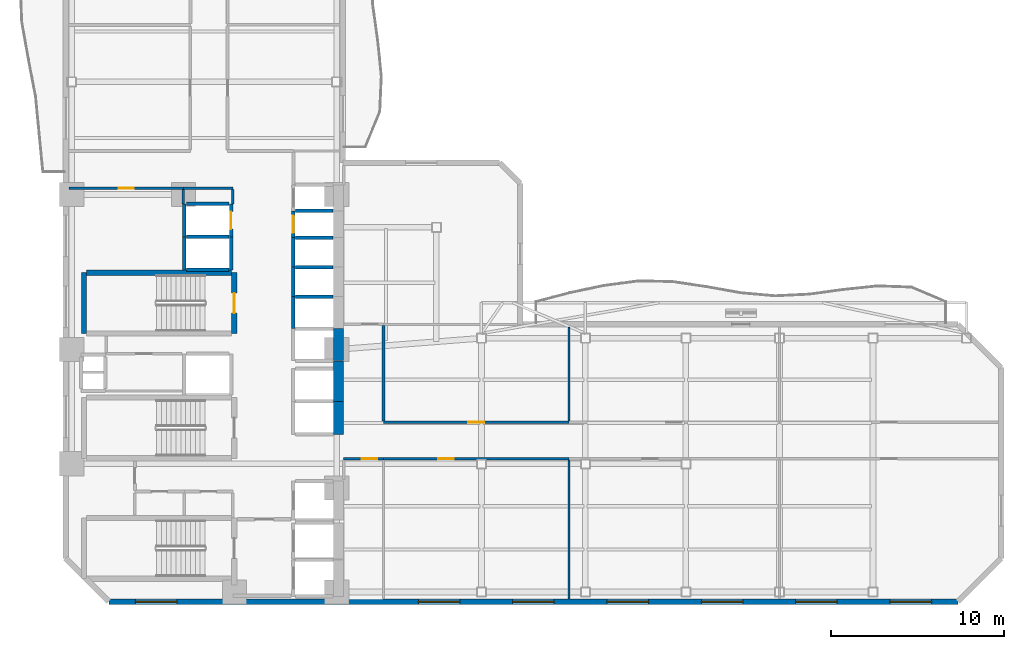
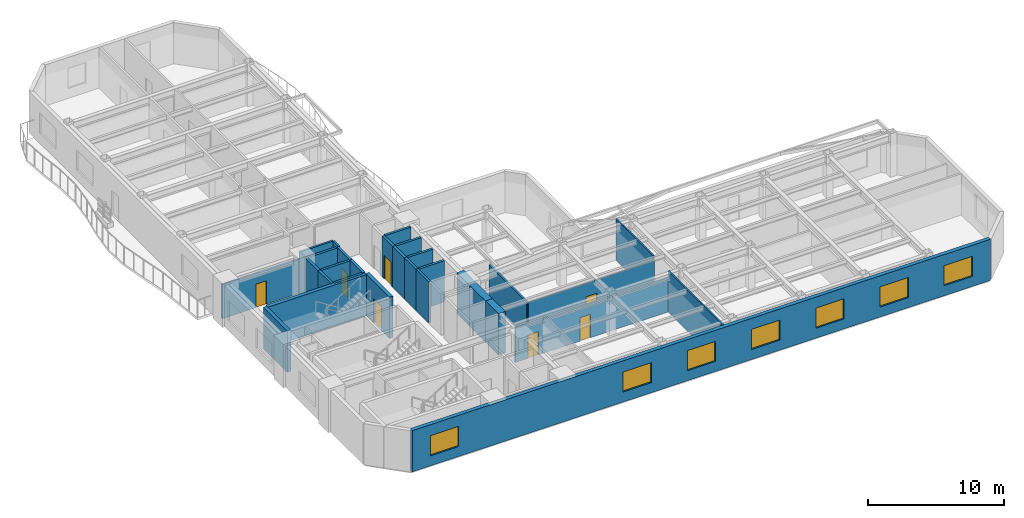
# One storey, part 4 of 10: 32 walls, 7 doors, 7 windows, 14 openings.
"""IFC4 building model written with IfcOpenShell, lengths in metres."""

from ifc_helpers import new_model, si_unit, direction, frame, frame_2d, origin, place, context, subcontext, project, spatial, rectangle, extrude, material, layer, layer_set, type_object, element, fill, save


model = new_model("IFC4")

# Units and contexts
model_context = context("Model", 3, precision=1e-05, world=origin(), true_north=direction((0.0, 1.0)))
body_context = subcontext(model_context, "Body", "Model", "MODEL_VIEW")
ifc_project = project(units=[si_unit("LENGTHUNIT", "METRE"), si_unit("AREAUNIT", "SQUARE_METRE"), si_unit("VOLUMEUNIT", "CUBIC_METRE"), si_unit("PLANEANGLEUNIT", "RADIAN"), si_unit("MASSUNIT", "GRAM", prefix="KILO")], contexts=[model_context])

# Site, building, storey
site_placement = place(None, origin())
site = spatial("IfcSite", under=ifc_project, at=site_placement, CompositionType="ELEMENT")
building_placement = place(site_placement, origin())
building = spatial("IfcBuilding", under=site, at=building_placement, Name="Mawjaban Terraces University", CompositionType="ELEMENT")
storey_placement = place(building_placement, frame((0.0, 0.0, 81.699951171875)))
storey = spatial("IfcBuildingStorey", under=building, at=storey_placement, Name="L19", CompositionType="ELEMENT", Elevation=81.699951171875)

# Walls
ifc_material_1 = material(Name="Concrete C70/85", Category="concrete")
ifc_layer_1 = layer(ifc_material_1, 0.60009765625)
ifc_layer_set_1 = layer_set([ifc_layer_1], Name="Concrete C70/85")
wall_type_1 = type_object("IfcWallType", Name="CoreShearWall_600", PredefinedType="SHEAR", material=ifc_layer_set_1)
wall_1_placement = place(storey_placement, frame((37.75, 9.64990234375, 0.0), z_axis=(0.0, 0.0, 1.0), x_axis=(0.0, 1.0, 0.0)))
element("IfcWall", 1, at=wall_1_placement, inside=storey, type_object=wall_type_1, Name="L19 Lift PL-H1 Hoistway Wall East", PredefinedType="SHEAR", context=body_context, shape_type="SweptSolid", body=[
    extrude(rectangle(XDim=1.900146484375, YDim=0.60009765625, at=frame_2d((0.9501953125, 0.0))), origin(), (0.0, 0.0, 1.0), 3.68994140625),
])
wall_2_placement = place(storey_placement, frame((37.75, 11.550048828125, 0.0), z_axis=(0.0, 0.0, 1.0), x_axis=(0.0, 1.0, 0.0)))
element("IfcWall", 2, at=wall_2_placement, inside=storey, type_object=wall_type_1, Name="L19 Lift PL-H2 Hoistway Wall East", PredefinedType="SHEAR", context=body_context, shape_type="SweptSolid", body=[
    extrude(rectangle(XDim=2.349853515625, YDim=0.60009765625, at=frame_2d((1.1748046875, 0.0))), origin(), (0.0, 0.0, 1.0), 3.68994140625),
])
wall_3_placement = place(storey_placement, frame((37.75, 13.89990234375, 0.0), z_axis=(0.0, 0.0, 1.0), x_axis=(0.0, 1.0, 0.0)))
element("IfcWall", 3, at=wall_3_placement, inside=storey, type_object=wall_type_1, Name="L19 Lift OL-1 Hoistway Wall East", PredefinedType="SHEAR", context=body_context, shape_type="SweptSolid", body=[
    extrude(rectangle(XDim=1.85009765625, YDim=0.60009765625, at=frame_2d((0.925048828125, 0.0))), origin(), (0.0, 0.0, 1.0), 3.68994140625),
])

# Wall, opening, door
ifc_material_2 = material(Name="Fire-rated gypsum board on steel stud", Category="steel")
ifc_layer_2 = layer(ifc_material_2, 0.159912109375)
ifc_layer_set_2 = layer_set([ifc_layer_2], Name="Fire-rated gypsum board on steel stud")
wall_type_2 = type_object("IfcWallType", Name="CorridorPartition_160", PredefinedType="PARTITIONING", material=ifc_layer_set_2)
wall_4_placement = place(storey_placement, frame((28.800048828125, 23.85009765625, 0.0), z_axis=(0.0, 0.0, 1.0), x_axis=(-1.0, 0.0, 0.0)))
wall_4 = element("IfcWall", 4, at=wall_4_placement, inside=storey, type_object=wall_type_2, Name="L19 Female Toilet Partition 4", PredefinedType="PARTITIONING", context=body_context, shape_type="SweptSolid", body=[
    extrude(rectangle(XDim=6.60009765625, YDim=0.159912109375, at=frame_2d((3.300048828125, 0.0))), origin(), (0.0, 0.0, 1.0), 3.054931640625),
])
opening_1_placement = place(wall_4_placement, frame((2.860107421875, 0.0, 0.0)))
opening_1 = element("IfcOpeningElement", 5, at=opening_1_placement, cuts=wall_4, Name="Opening ID-088", PredefinedType="OPENING", context=body_context, shape_type="SweptSolid", body=[
    extrude(rectangle(XDim=0.8798828125, YDim=2.10009765625, at=frame_2d((0.43994140625, 1.050048828125))), frame((0.0, 0.08984375, 0.0), z_axis=(0.0, -1.0, 0.0), x_axis=(1.0, 0.0, 0.0)), (0.0, 0.0, 1.0), 0.179931640625),
])
ifc_material_3 = material(Name="Powder-coated steel frame and solid acoustic timber leaf", Category="steel")
door_type_1 = type_object("IfcDoorType", Name="ToiletDoor_880x2100", OperationType="NOTDEFINED", PredefinedType="DOOR", material=ifc_material_3)
door_1_placement = place(opening_1_placement, origin())
door_1 = element("IfcDoor", 6, at=door_1_placement, inside=storey, type_object=door_type_1, Name="L19 Female Toilet Door", OperationType="SINGLE_SWING_RIGHT", OverallHeight=2.10009765625, OverallWidth=0.8798828125, PredefinedType="DOOR", context=body_context, shape_type="SweptSolid", body=[
    extrude(rectangle(XDim=0.8798828125, YDim=2.10009765625, at=frame_2d((0.43994140625, 1.050048828125))), frame((0.0, 0.02490234375, 0.0), z_axis=(0.0, -1.0, 0.0), x_axis=(1.0, 0.0, 0.0)), (0.0, 0.0, 1.0), 0.050048828125),
])
fill(opening_1, door_1)

# Wall
wall_5_placement = place(storey_placement, frame((28.800048828125, 23.85009765625, 0.0), z_axis=(0.0, 0.0, 1.0), x_axis=(1.0, 0.0, 0.0)))
element("IfcWall", 7, at=wall_5_placement, inside=storey, type_object=wall_type_2, Name="L19 North Core Cross-Corridor Partition 5", PredefinedType="PARTITIONING", context=body_context, shape_type="SweptSolid", body=[
    extrude(rectangle(XDim=2.849853515625, YDim=0.159912109375, at=frame_2d((1.4248046875, 0.0))), origin(), (0.0, 0.0, 1.0), 3.68994140625),
])

# Wall, opening, door
wall_6_placement = place(storey_placement, frame((38.050048828125, 8.25, 0.0), z_axis=(0.0, 0.0, 1.0), x_axis=(1.0, 0.0, 0.0)))
wall_6 = element("IfcWall", 8, at=wall_6_placement, inside=storey, type_object=wall_type_2, Name="L19 East Academic Corridor Vestibule Partition 18", PredefinedType="PARTITIONING", context=body_context, shape_type="SweptSolid", body=[
    extrude(rectangle(XDim=2.300048828125, YDim=0.159912109375, at=frame_2d((1.14990234375, 0.0))), origin(), (0.0, 0.0, 1.0), 3.054931640625),
])
opening_2_placement = place(wall_6_placement, frame((1.050048828125, 0.0, 0.0)))
opening_2 = element("IfcOpeningElement", 9, at=opening_2_placement, cuts=wall_6, Name="Opening ID-090", PredefinedType="OPENING", context=body_context, shape_type="SweptSolid", body=[
    extrude(rectangle(XDim=0.89990234375, YDim=2.10009765625, at=frame_2d((0.449951171875, 1.050048828125))), frame((0.0, 0.08984375, 0.0), z_axis=(0.0, -1.0, 0.0), x_axis=(1.0, 0.0, 0.0)), (0.0, 0.0, 1.0), 0.179931640625),
])
door_type_2 = type_object("IfcDoorType", Name="OfficeDoor_900x2100", OperationType="NOTDEFINED", PredefinedType="DOOR", material=ifc_material_3)
door_2_placement = place(opening_2_placement, origin())
door_2 = element("IfcDoor", 10, at=door_2_placement, inside=storey, type_object=door_type_2, Name="L19 Academic Counseling Room 1 Door", OperationType="SINGLE_SWING_LEFT", OverallHeight=2.10009765625, OverallWidth=0.89990234375, PredefinedType="DOOR", context=body_context, shape_type="SweptSolid", body=[
    extrude(rectangle(XDim=0.89990234375, YDim=2.10009765625, at=frame_2d((0.449951171875, 1.050048828125))), frame((0.0, 0.02490234375, 0.0), z_axis=(0.0, -1.0, 0.0), x_axis=(1.0, 0.0, 0.0)), (0.0, 0.0, 1.0), 0.050048828125),
])
fill(opening_2, door_2)

wall_7_placement = place(storey_placement, frame((40.35009765625, 8.25, 0.0), z_axis=(0.0, 0.0, 1.0), x_axis=(1.0, 0.0, 0.0)))
wall_7 = element("IfcWall", 11, at=wall_7_placement, inside=storey, type_object=wall_type_2, Name="L19 East Academic Spine Corridor Partition 19", PredefinedType="PARTITIONING", context=body_context, shape_type="SweptSolid", body=[
    extrude(rectangle(XDim=10.699951171875, YDim=0.159912109375, at=frame_2d((5.35009765625, 0.0))), origin(), (0.0, 0.0, 1.0), 3.054931640625),
])
opening_3_placement = place(wall_7_placement, frame((3.14990234375, 0.0, 0.0)))
opening_3 = element("IfcOpeningElement", 12, at=opening_3_placement, cuts=wall_7, Name="Opening ID-090", PredefinedType="OPENING", context=body_context, shape_type="SweptSolid", body=[
    extrude(rectangle(XDim=0.89990234375, YDim=2.10009765625, at=frame_2d((0.449951171875, 1.050048828125))), frame((0.0, 0.08984375, 0.0), z_axis=(0.0, -1.0, 0.0), x_axis=(1.0, 0.0, 0.0)), (0.0, 0.0, 1.0), 0.179931640625),
])
door_3_placement = place(opening_3_placement, origin())
door_3 = element("IfcDoor", 13, at=door_3_placement, inside=storey, type_object=door_type_2, Name="L19 Academic Counseling Room 2 Door", OperationType="SINGLE_SWING_RIGHT", OverallHeight=2.10009765625, OverallWidth=0.89990234375, PredefinedType="DOOR", context=body_context, shape_type="SweptSolid", body=[
    extrude(rectangle(XDim=0.89990234375, YDim=2.10009765625, at=frame_2d((0.449951171875, 1.050048828125))), frame((0.0, 0.02490234375, 0.0), z_axis=(0.0, -1.0, 0.0), x_axis=(1.0, 0.0, 0.0)), (0.0, 0.0, 1.0), 0.050048828125),
])
fill(opening_3, door_3)

wall_8_placement = place(storey_placement, frame((51.050048828125, 10.35009765625, 0.0), z_axis=(0.0, 0.0, 1.0), x_axis=(-1.0, 0.0, 0.0)))
wall_8 = element("IfcWall", 14, at=wall_8_placement, inside=storey, type_object=wall_type_2, Name="L19 East Academic Spine Corridor Partition 23", PredefinedType="PARTITIONING", context=body_context, shape_type="SweptSolid", body=[
    extrude(rectangle(XDim=10.699951171875, YDim=0.159912109375, at=frame_2d((5.35009765625, 0.0))), origin(), (0.0, 0.0, 1.0), 3.277099609375),
])
opening_4_placement = place(wall_8_placement, frame((4.89990234375, 0.0, 0.0)))
opening_4 = element("IfcOpeningElement", 15, at=opening_4_placement, cuts=wall_8, Name="Opening ID-090", PredefinedType="OPENING", context=body_context, shape_type="SweptSolid", body=[
    extrude(rectangle(XDim=0.89990234375, YDim=2.10009765625, at=frame_2d((0.449951171875, 1.050048828125))), frame((0.0, 0.08984375, 0.0), z_axis=(0.0, -1.0, 0.0), x_axis=(1.0, 0.0, 0.0)), (0.0, 0.0, 1.0), 0.179931640625),
])
door_4_placement = place(opening_4_placement, origin())
door_4 = element("IfcDoor", 16, at=door_4_placement, inside=storey, type_object=door_type_2, Name="L19 Academic Counseling Room 3 Door", OperationType="SINGLE_SWING_LEFT", OverallHeight=2.10009765625, OverallWidth=0.89990234375, PredefinedType="DOOR", context=body_context, shape_type="SweptSolid", body=[
    extrude(rectangle(XDim=0.89990234375, YDim=2.10009765625, at=frame_2d((0.449951171875, 1.050048828125))), frame((0.0, 0.02490234375, 0.0), z_axis=(0.0, -1.0, 0.0), x_axis=(1.0, 0.0, 0.0)), (0.0, 0.0, 1.0), 0.050048828125),
])
fill(opening_4, door_4)

# Walls
wall_9_placement = place(storey_placement, frame((31.64990234375, 23.77490234375, 0.0), z_axis=(0.0, 0.0, 1.0), x_axis=(0.0, -1.0, 0.0)))
element("IfcWall", 17, at=wall_9_placement, inside=storey, type_object=wall_type_2, Name="L19 Passenger Lift Lobby Partition 41", PredefinedType="PARTITIONING", context=body_context, shape_type="SweptSolid", body=[
    extrude(rectangle(XDim=0.824951171875, YDim=0.159912109375, at=frame_2d((0.41259765625, 0.0))), origin(), (0.0, 0.0, 1.0), 3.68994140625),
])
wall_10_placement = place(storey_placement, frame((40.35009765625, 10.425048828125, 0.0), z_axis=(0.0, 0.0, 1.0), x_axis=(0.0, 1.0, 0.0)))
element("IfcWall", 18, at=wall_10_placement, inside=storey, type_object=wall_type_2, Name="L19 East Academic Corridor Vestibule Partition 46", PredefinedType="PARTITIONING", context=body_context, shape_type="SweptSolid", body=[
    extrude(rectangle(XDim=5.5, YDim=0.159912109375, at=frame_2d((2.75, 0.0))), origin(), (0.0, 0.0, 1.0), 3.277099609375),
])

# Wall, openings, windows
ifc_material_4 = material(Name="Insulated terracotta rainscreen on concrete backup C40/50", Category="masonry")
ifc_layer_3 = layer(ifc_material_4, 0.320068359375)
ifc_layer_set_3 = layer_set([ifc_layer_3], Name="Insulated terracotta rainscreen on concrete backup C40/50")
wall_type_3 = type_object("IfcWallType", Name="ExtTerracottaWall_320", PredefinedType="SOLIDWALL", material=ifc_layer_set_3)
wall_11_placement = place(storey_placement, frame((24.5, 0.0, 0.0), z_axis=(0.0, 0.0, 1.0), x_axis=(1.0, 0.0, 0.0)))
wall_11 = element("IfcWall", 19, at=wall_11_placement, inside=storey, type_object=wall_type_3, Name="L19 Exterior Terracotta Wall 1", PredefinedType="SOLIDWALL", context=body_context, shape_type="SweptSolid", body=[
    extrude(rectangle(XDim=49.0, YDim=0.320068359375, at=frame_2d((24.5, 0.0))), origin(), (0.0, 0.0, 1.0), 3.68994140625),
])
opening_5_placement = place(wall_11_placement, frame((1.52197265625, 0.0, 0.89990234375)))
opening_5 = element("IfcOpeningElement", 20, at=opening_5_placement, cuts=wall_11, Name="Opening W-08", PredefinedType="OPENING", context=body_context, shape_type="SweptSolid", body=[
    extrude(rectangle(XDim=2.39990234375, YDim=1.800048828125, at=frame_2d((1.199951171875, 0.89990234375))), frame((0.0, 0.169921875, 0.0), z_axis=(0.0, -1.0, 0.0), x_axis=(1.0, 0.0, 0.0)), (0.0, 0.0, 1.0), 0.340087890625),
])
opening_6_placement = place(wall_11_placement, frame((17.85595703125, 0.0, 0.89990234375)))
opening_6 = element("IfcOpeningElement", 21, at=opening_6_placement, cuts=wall_11, Name="Opening W-08", PredefinedType="OPENING", context=body_context, shape_type="SweptSolid", body=[
    extrude(rectangle(XDim=2.39990234375, YDim=1.800048828125, at=frame_2d((1.199951171875, 0.89990234375))), frame((0.0, 0.169921875, 0.0), z_axis=(0.0, -1.0, 0.0), x_axis=(1.0, 0.0, 0.0)), (0.0, 0.0, 1.0), 0.340087890625),
])
opening_7_placement = place(wall_11_placement, frame((23.300048828125, 0.0, 0.89990234375)))
opening_7 = element("IfcOpeningElement", 22, at=opening_7_placement, cuts=wall_11, Name="Opening W-08", PredefinedType="OPENING", context=body_context, shape_type="SweptSolid", body=[
    extrude(rectangle(XDim=2.39990234375, YDim=1.800048828125, at=frame_2d((1.199951171875, 0.89990234375))), frame((0.0, 0.169921875, 0.0), z_axis=(0.0, -1.0, 0.0), x_axis=(1.0, 0.0, 0.0)), (0.0, 0.0, 1.0), 0.340087890625),
])
opening_8_placement = place(wall_11_placement, frame((28.743896484375, 0.0, 0.89990234375)))
opening_8 = element("IfcOpeningElement", 23, at=opening_8_placement, cuts=wall_11, Name="Opening W-08", PredefinedType="OPENING", context=body_context, shape_type="SweptSolid", body=[
    extrude(rectangle(XDim=2.39990234375, YDim=1.800048828125, at=frame_2d((1.199951171875, 0.89990234375))), frame((0.0, 0.169921875, 0.0), z_axis=(0.0, -1.0, 0.0), x_axis=(1.0, 0.0, 0.0)), (0.0, 0.0, 1.0), 0.340087890625),
])
opening_9_placement = place(wall_11_placement, frame((34.18896484375, 0.0, 0.89990234375)))
opening_9 = element("IfcOpeningElement", 24, at=opening_9_placement, cuts=wall_11, Name="Opening W-08", PredefinedType="OPENING", context=body_context, shape_type="SweptSolid", body=[
    extrude(rectangle(XDim=2.39990234375, YDim=1.800048828125, at=frame_2d((1.199951171875, 0.89990234375))), frame((0.0, 0.169921875, 0.0), z_axis=(0.0, -1.0, 0.0), x_axis=(1.0, 0.0, 0.0)), (0.0, 0.0, 1.0), 0.340087890625),
])
opening_10_placement = place(wall_11_placement, frame((39.633056640625, 0.0, 0.89990234375)))
opening_10 = element("IfcOpeningElement", 25, at=opening_10_placement, cuts=wall_11, Name="Opening W-08", PredefinedType="OPENING", context=body_context, shape_type="SweptSolid", body=[
    extrude(rectangle(XDim=2.39990234375, YDim=1.800048828125, at=frame_2d((1.199951171875, 0.89990234375))), frame((0.0, 0.169921875, 0.0), z_axis=(0.0, -1.0, 0.0), x_axis=(1.0, 0.0, 0.0)), (0.0, 0.0, 1.0), 0.340087890625),
])
opening_11_placement = place(wall_11_placement, frame((45.077880859375, 0.0, 0.89990234375)))
opening_11 = element("IfcOpeningElement", 26, at=opening_11_placement, cuts=wall_11, Name="Opening W-08", PredefinedType="OPENING", context=body_context, shape_type="SweptSolid", body=[
    extrude(rectangle(XDim=2.39990234375, YDim=1.800048828125, at=frame_2d((1.199951171875, 0.89990234375))), frame((0.0, 0.169921875, 0.0), z_axis=(0.0, -1.0, 0.0), x_axis=(1.0, 0.0, 0.0)), (0.0, 0.0, 1.0), 0.340087890625),
])
ifc_material_5 = material(Name="Low-E solar-control double glazing in thermally broken aluminium frame", Category="aluminium")
window_type = type_object("IfcWindowType", Name="Win_2400x1800", PartitioningType="SINGLE_PANEL", PredefinedType="WINDOW", material=ifc_material_5)
window_1_placement = place(opening_5_placement, origin())
window_1 = element("IfcWindow", 27, at=window_1_placement, inside=storey, type_object=window_type, Name="L19 Facade Window 1.1", OverallHeight=1.800048828125, OverallWidth=2.39990234375, PartitioningType="SINGLE_PANEL", PredefinedType="WINDOW", context=body_context, shape_type="SweptSolid", body=[
    extrude(rectangle(XDim=2.39990234375, YDim=1.800048828125, at=frame_2d((1.199951171875, 0.89990234375))), frame((0.0, 0.030029296875, 0.0), z_axis=(0.0, -1.0, 0.0), x_axis=(1.0, 0.0, 0.0)), (0.0, 0.0, 1.0), 0.06005859375),
])
fill(opening_5, window_1)
window_2_placement = place(opening_6_placement, origin())
window_2 = element("IfcWindow", 28, at=window_2_placement, inside=storey, type_object=window_type, Name="L19 Facade Window 1.4", OverallHeight=1.800048828125, OverallWidth=2.39990234375, PartitioningType="SINGLE_PANEL", PredefinedType="WINDOW", context=body_context, shape_type="SweptSolid", body=[
    extrude(rectangle(XDim=2.39990234375, YDim=1.800048828125, at=frame_2d((1.199951171875, 0.89990234375))), frame((0.0, 0.030029296875, 0.0), z_axis=(0.0, -1.0, 0.0), x_axis=(1.0, 0.0, 0.0)), (0.0, 0.0, 1.0), 0.06005859375),
])
fill(opening_6, window_2)
window_3_placement = place(opening_7_placement, origin())
window_3 = element("IfcWindow", 29, at=window_3_placement, inside=storey, type_object=window_type, Name="L19 Facade Window 1.5", OverallHeight=1.800048828125, OverallWidth=2.39990234375, PartitioningType="SINGLE_PANEL", PredefinedType="WINDOW", context=body_context, shape_type="SweptSolid", body=[
    extrude(rectangle(XDim=2.39990234375, YDim=1.800048828125, at=frame_2d((1.199951171875, 0.89990234375))), frame((0.0, 0.030029296875, 0.0), z_axis=(0.0, -1.0, 0.0), x_axis=(1.0, 0.0, 0.0)), (0.0, 0.0, 1.0), 0.06005859375),
])
fill(opening_7, window_3)
window_4_placement = place(opening_8_placement, origin())
window_4 = element("IfcWindow", 30, at=window_4_placement, inside=storey, type_object=window_type, Name="L19 Facade Window 1.6", OverallHeight=1.800048828125, OverallWidth=2.39990234375, PartitioningType="SINGLE_PANEL", PredefinedType="WINDOW", context=body_context, shape_type="SweptSolid", body=[
    extrude(rectangle(XDim=2.39990234375, YDim=1.800048828125, at=frame_2d((1.199951171875, 0.89990234375))), frame((0.0, 0.030029296875, 0.0), z_axis=(0.0, -1.0, 0.0), x_axis=(1.0, 0.0, 0.0)), (0.0, 0.0, 1.0), 0.06005859375),
])
fill(opening_8, window_4)
window_5_placement = place(opening_9_placement, origin())
window_5 = element("IfcWindow", 31, at=window_5_placement, inside=storey, type_object=window_type, Name="L19 Facade Window 1.7", OverallHeight=1.800048828125, OverallWidth=2.39990234375, PartitioningType="SINGLE_PANEL", PredefinedType="WINDOW", context=body_context, shape_type="SweptSolid", body=[
    extrude(rectangle(XDim=2.39990234375, YDim=1.800048828125, at=frame_2d((1.199951171875, 0.89990234375))), frame((0.0, 0.030029296875, 0.0), z_axis=(0.0, -1.0, 0.0), x_axis=(1.0, 0.0, 0.0)), (0.0, 0.0, 1.0), 0.06005859375),
])
fill(opening_9, window_5)
window_6_placement = place(opening_10_placement, origin())
window_6 = element("IfcWindow", 32, at=window_6_placement, inside=storey, type_object=window_type, Name="L19 Facade Window 1.8", OverallHeight=1.800048828125, OverallWidth=2.39990234375, PartitioningType="SINGLE_PANEL", PredefinedType="WINDOW", context=body_context, shape_type="SweptSolid", body=[
    extrude(rectangle(XDim=2.39990234375, YDim=1.800048828125, at=frame_2d((1.199951171875, 0.89990234375))), frame((0.0, 0.030029296875, 0.0), z_axis=(0.0, -1.0, 0.0), x_axis=(1.0, 0.0, 0.0)), (0.0, 0.0, 1.0), 0.06005859375),
])
fill(opening_10, window_6)
window_7_placement = place(opening_11_placement, origin())
window_7 = element("IfcWindow", 33, at=window_7_placement, inside=storey, type_object=window_type, Name="L19 Facade Window 1.9", OverallHeight=1.800048828125, OverallWidth=2.39990234375, PartitioningType="SINGLE_PANEL", PredefinedType="WINDOW", context=body_context, shape_type="SweptSolid", body=[
    extrude(rectangle(XDim=2.39990234375, YDim=1.800048828125, at=frame_2d((1.199951171875, 0.89990234375))), frame((0.0, 0.030029296875, 0.0), z_axis=(0.0, -1.0, 0.0), x_axis=(1.0, 0.0, 0.0)), (0.0, 0.0, 1.0), 0.06005859375),
])
fill(opening_11, window_7)

# Walls
ifc_material_6 = material(Name="Concrete C40/50", Category="concrete")
ifc_layer_4 = layer(ifc_material_6, 0.199951171875)
ifc_layer_set_4 = layer_set([ifc_layer_4], Name="Concrete C40/50")
wall_type_4 = type_object("IfcWallType", Name="FireLobbyWall_200", PredefinedType="SOLIDWALL", material=ifc_layer_set_4)
wall_12_placement = place(storey_placement, frame((35.14990234375, 17.60009765625, 0.0), z_axis=(0.0, 0.0, 1.0), x_axis=(0.0, -1.0, 0.0)))
element("IfcWall", 34, at=wall_12_placement, inside=storey, type_object=wall_type_4, Name="L19 Lift OL-2 Hoistway Wall West", PredefinedType="SOLIDWALL", context=body_context, shape_type="SweptSolid", body=[
    extrude(rectangle(XDim=1.85009765625, YDim=0.199951171875, at=frame_2d((0.925048828125, 0.0))), origin(), (0.0, 0.0, 1.0), 3.68994140625),
])
wall_13_placement = place(storey_placement, frame((37.419921875, 17.60009765625, 0.0), z_axis=(0.0, 0.0, 1.0), x_axis=(-1.0, 0.0, 0.0)))
element("IfcWall", 35, at=wall_13_placement, inside=storey, type_object=wall_type_4, Name="L19 Lift OL-2 Hoistway Wall North", PredefinedType="SOLIDWALL", context=body_context, shape_type="SweptSolid", body=[
    extrude(rectangle(XDim=2.139892578125, YDim=0.199951171875, at=frame_2d((1.06982421875, 0.0))), origin(), (0.0, 0.0, 1.0), 3.68994140625),
])
wall_14_placement = place(storey_placement, frame((35.14990234375, 19.300048828125, 0.0), z_axis=(0.0, 0.0, 1.0), x_axis=(0.0, -1.0, 0.0)))
element("IfcWall", 36, at=wall_14_placement, inside=storey, type_object=wall_type_4, Name="L19 Lift PL-M1 Hoistway Wall West", PredefinedType="SOLIDWALL", context=body_context, shape_type="SweptSolid", body=[
    extrude(rectangle(XDim=1.699951171875, YDim=0.199951171875, at=frame_2d((0.85009765625, 0.0))), origin(), (0.0, 0.0, 1.0), 3.68994140625),
])
wall_15_placement = place(storey_placement, frame((37.419921875, 19.300048828125, 0.0), z_axis=(0.0, 0.0, 1.0), x_axis=(-1.0, 0.0, 0.0)))
element("IfcWall", 37, at=wall_15_placement, inside=storey, type_object=wall_type_4, Name="L19 Lift PL-M1 Hoistway Wall North", PredefinedType="SOLIDWALL", context=body_context, shape_type="SweptSolid", body=[
    extrude(rectangle(XDim=2.139892578125, YDim=0.199951171875, at=frame_2d((1.06982421875, 0.0))), origin(), (0.0, 0.0, 1.0), 3.68994140625),
])
wall_16_placement = place(storey_placement, frame((35.14990234375, 21.0, 0.0), z_axis=(0.0, 0.0, 1.0), x_axis=(0.0, -1.0, 0.0)))
element("IfcWall", 38, at=wall_16_placement, inside=storey, type_object=wall_type_4, Name="L19 Lift PL-M2 Hoistway Wall West", PredefinedType="SOLIDWALL", context=body_context, shape_type="SweptSolid", body=[
    extrude(rectangle(XDim=1.699951171875, YDim=0.199951171875, at=frame_2d((0.85009765625, 0.0))), origin(), (0.0, 0.0, 1.0), 3.68994140625),
])
wall_17_placement = place(storey_placement, frame((37.419921875, 21.0, 0.0), z_axis=(0.0, 0.0, 1.0), x_axis=(-1.0, 0.0, 0.0)))
element("IfcWall", 39, at=wall_17_placement, inside=storey, type_object=wall_type_4, Name="L19 Lift PL-M2 Hoistway Wall North", PredefinedType="SOLIDWALL", context=body_context, shape_type="SweptSolid", body=[
    extrude(rectangle(XDim=2.139892578125, YDim=0.199951171875, at=frame_2d((1.06982421875, 0.0))), origin(), (0.0, 0.0, 1.0), 3.68994140625),
])
for number, where, z_axis, x_axis, name in (
    (40, (28.85009765625, 21.050048828125, 0.0), (0.0, 0.0, 1.0), (0.0, -1.0, 0.0), "L19 Lift PL-M3 Hoistway Wall West"),
    (41, (31.550048828125, 19.14990234375, 0.0), (0.0, 0.0, 1.0), (0.0, 1.0, 0.0), "L19 Lift PL-M3 Hoistway Wall East"),
):
    element("IfcWall", number, at=place(storey_placement, frame(where, z_axis=z_axis, x_axis=x_axis)), inside=storey, type_object=wall_type_4, Name=name, PredefinedType="SOLIDWALL", context=body_context, shape_type="SweptSolid", body=[
        extrude(rectangle(XDim=1.900146484375, YDim=0.199951171875, at=frame_2d((0.9501953125, 0.0))), origin(), (0.0, 0.0, 1.0), 3.68994140625),
    ])
for number, where, z_axis, x_axis, name in (
    (42, (28.97998046875, 19.14990234375, 0.0), (0.0, 0.0, 1.0), (1.0, 0.0, 0.0), "L19 Lift PL-M3 Hoistway Wall South"),
    (43, (31.419921875, 21.050048828125, 0.0), (0.0, 0.0, 1.0), (-1.0, 0.0, 0.0), "L19 Lift PL-M3 Hoistway Wall North"),
):
    element("IfcWall", number, at=place(storey_placement, frame(where, z_axis=z_axis, x_axis=x_axis)), inside=storey, type_object=wall_type_4, Name=name, PredefinedType="SOLIDWALL", context=body_context, shape_type="SweptSolid", body=[
        extrude(rectangle(XDim=2.43994140625, YDim=0.199951171875, at=frame_2d((1.219970703125, 0.0))), origin(), (0.0, 0.0, 1.0), 3.68994140625),
    ])

# Wall, opening, door
wall_18_placement = place(storey_placement, frame((35.14990234375, 22.550048828125, 0.0), z_axis=(0.0, 0.0, 1.0), x_axis=(0.0, -1.0, 0.0)))
wall_18 = element("IfcWall", 44, at=wall_18_placement, inside=storey, type_object=wall_type_4, Name="L19 Lift PL-L1 Hoistway Wall West", PredefinedType="SOLIDWALL", context=body_context, shape_type="SweptSolid", body=[
    extrude(rectangle(XDim=1.550048828125, YDim=0.199951171875, at=frame_2d((0.77490234375, 0.0))), origin(), (0.0, 0.0, 1.0), 3.68994140625),
])
opening_12_placement = place(wall_18_placement, frame((0.27490234375, 0.0, 0.0)))
opening_12 = element("IfcOpeningElement", 45, at=opening_12_placement, cuts=wall_18, Name="Opening LD-PL-L1", PredefinedType="OPENING", context=body_context, shape_type="SweptSolid", body=[
    extrude(rectangle(XDim=1.0, YDim=2.10009765625, at=frame_2d((0.5, 1.050048828125))), frame((0.0, 0.10986328125, 0.0), z_axis=(0.0, -1.0, 0.0), x_axis=(1.0, 0.0, 0.0)), (0.0, 0.0, 1.0), 0.219970703125),
])
ifc_material_7 = material(Name="Powder-coated steel frame and fire-rated steel-faced leaf", Category="steel")
door_type_3 = type_object("IfcDoorType", Name="LiftLandingSliding_1000x2100", OperationType="NOTDEFINED", PredefinedType="DOOR", material=ifc_material_7)
door_5_placement = place(opening_12_placement, origin())
door_5 = element("IfcDoor", 46, at=door_5_placement, inside=storey, type_object=door_type_3, Name="L19 Lift PL-L1 Sliding Landing Door", OperationType="DOUBLE_DOOR_SLIDING", OverallHeight=2.10009765625, OverallWidth=1.0, PredefinedType="DOOR", context=body_context, shape_type="SweptSolid", body=[
    extrude(rectangle(XDim=1.0, YDim=2.10009765625, at=frame_2d((0.5, 1.050048828125))), frame((0.0, 0.02490234375, 0.0), z_axis=(0.0, -1.0, 0.0), x_axis=(1.0, 0.0, 0.0)), (0.0, 0.0, 1.0), 0.050048828125),
])
fill(opening_12, door_5)

# Walls
wall_19_placement = place(storey_placement, frame((37.419921875, 22.550048828125, 0.0), z_axis=(0.0, 0.0, 1.0), x_axis=(-1.0, 0.0, 0.0)))
element("IfcWall", 47, at=wall_19_placement, inside=storey, type_object=wall_type_4, Name="L19 Lift PL-L1 Hoistway Wall North", PredefinedType="SOLIDWALL", context=body_context, shape_type="SweptSolid", body=[
    extrude(rectangle(XDim=2.139892578125, YDim=0.199951171875, at=frame_2d((1.06982421875, 0.0))), origin(), (0.0, 0.0, 1.0), 3.68994140625),
])
wall_20_placement = place(storey_placement, frame((28.85009765625, 22.949951171875, 0.0), z_axis=(0.0, 0.0, 1.0), x_axis=(0.0, -1.0, 0.0)))
element("IfcWall", 48, at=wall_20_placement, inside=storey, type_object=wall_type_4, Name="L19 Lift PL-L3 Hoistway Wall West", PredefinedType="SOLIDWALL", context=body_context, shape_type="SweptSolid", body=[
    extrude(rectangle(XDim=1.89990234375, YDim=0.199951171875, at=frame_2d((0.949951171875, 0.0))), origin(), (0.0, 0.0, 1.0), 3.68994140625),
])

# Wall, opening, door
wall_21_placement = place(storey_placement, frame((31.550048828125, 21.050048828125, 0.0), z_axis=(0.0, 0.0, 1.0), x_axis=(0.0, 1.0, 0.0)))
wall_21 = element("IfcWall", 49, at=wall_21_placement, inside=storey, type_object=wall_type_4, Name="L19 Lift PL-L3 Hoistway Wall East", PredefinedType="SOLIDWALL", context=body_context, shape_type="SweptSolid", body=[
    extrude(rectangle(XDim=1.89990234375, YDim=0.199951171875, at=frame_2d((0.949951171875, 0.0))), origin(), (0.0, 0.0, 1.0), 3.68994140625),
])
opening_13_placement = place(wall_21_placement, frame((0.449951171875, 0.0, 0.0)))
opening_13 = element("IfcOpeningElement", 50, at=opening_13_placement, cuts=wall_21, Name="Opening LD-PL-L3", PredefinedType="OPENING", context=body_context, shape_type="SweptSolid", body=[
    extrude(rectangle(XDim=1.0, YDim=2.10009765625, at=frame_2d((0.5, 1.050048828125))), frame((0.0, 0.10986328125, 0.0), z_axis=(0.0, -1.0, 0.0), x_axis=(1.0, 0.0, 0.0)), (0.0, 0.0, 1.0), 0.219970703125),
])
door_6_placement = place(opening_13_placement, origin())
door_6 = element("IfcDoor", 51, at=door_6_placement, inside=storey, type_object=door_type_3, Name="L19 Lift PL-L3 Sliding Landing Door", OperationType="DOUBLE_DOOR_SLIDING", OverallHeight=2.10009765625, OverallWidth=1.0, PredefinedType="DOOR", context=body_context, shape_type="SweptSolid", body=[
    extrude(rectangle(XDim=1.0, YDim=2.10009765625, at=frame_2d((0.5, 1.050048828125))), frame((0.0, 0.02490234375, 0.0), z_axis=(0.0, -1.0, 0.0), x_axis=(1.0, 0.0, 0.0)), (0.0, 0.0, 1.0), 0.050048828125),
])
fill(opening_13, door_6)

# Walls
wall_22_placement = place(storey_placement, frame((31.429931640625, 22.949951171875, 0.0), z_axis=(0.0, 0.0, 1.0), x_axis=(-1.0, 0.0, 0.0)))
element("IfcWall", 52, at=wall_22_placement, inside=storey, type_object=wall_type_4, Name="L19 Lift PL-L3 Hoistway Wall North", PredefinedType="SOLIDWALL", context=body_context, shape_type="SweptSolid", body=[
    extrude(rectangle(XDim=2.4599609375, YDim=0.199951171875, at=frame_2d((1.22998046875, 0.0))), origin(), (0.0, 0.0, 1.0), 3.68994140625),
])
ifc_material_8 = material(Name="Gypsum plasterboard on steel stud", Category="steel")
ifc_layer_5 = layer(ifc_material_8, 0.125)
ifc_layer_set_5 = layer_set([ifc_layer_5], Name="Gypsum plasterboard on steel stud")
wall_type_5 = type_object("IfcWallType", Name="OfficePartition_125", PredefinedType="PARTITIONING", material=ifc_layer_set_5)
wall_23_placement = place(storey_placement, frame((51.050048828125, 0.155029296875, 0.0), z_axis=(0.0, 0.0, 1.0), x_axis=(0.0, 1.0, 0.0)))
element("IfcWall", 53, at=wall_23_placement, inside=storey, type_object=wall_type_5, Name="L19 Academic Counseling Room 2 Partition 47", PredefinedType="PARTITIONING", context=body_context, shape_type="SweptSolid", body=[
    extrude(rectangle(XDim=8.02001953125, YDim=0.125, at=frame_2d((4.010009765625, 0.0))), origin(), (0.0, 0.0, 1.0), 3.68994140625),
])
wall_24_placement = place(storey_placement, frame((51.050048828125, 10.425048828125, 0.0), z_axis=(0.0, 0.0, 1.0), x_axis=(0.0, 1.0, 0.0)))
element("IfcWall", 54, at=wall_24_placement, inside=storey, type_object=wall_type_5, Name="L19 Academic Counseling Room 3 Partition 48", PredefinedType="PARTITIONING", context=body_context, shape_type="SweptSolid", body=[
    extrude(rectangle(XDim=5.419921875, YDim=0.125, at=frame_2d((2.7099609375, 0.0))), origin(), (0.0, 0.0, 1.0), 3.68994140625),
])
ifc_material_9 = material(Name="Concrete C60/75", Category="concrete")
ifc_layer_6 = layer(ifc_material_9, 0.300048828125)
ifc_layer_set_6 = layer_set([ifc_layer_6], Name="Concrete C60/75")
wall_type_6 = type_object("IfcWallType", Name="StairShaftWall_300", PredefinedType="SHEAR", material=ifc_layer_set_6)
wall_25_placement = place(storey_placement, frame((31.580078125, 18.97998046875, 0.0), z_axis=(0.0, 0.0, 1.0), x_axis=(-1.0, 0.0, 0.0)))
element("IfcWall", 55, at=wall_25_placement, inside=storey, type_object=wall_type_6, Name="L19 ST-2 Stair Shaft Wall 1", PredefinedType="SHEAR", context=body_context, shape_type="SweptSolid", body=[
    extrude(rectangle(XDim=8.360107421875, YDim=0.300048828125, at=frame_2d((4.18017578125, 0.0))), origin(), (0.0, 0.0, 1.0), 3.68994140625),
])
wall_26_placement = place(storey_placement, frame((23.070068359375, 18.97998046875, 0.0), z_axis=(0.0, 0.0, 1.0), x_axis=(0.0, -1.0, 0.0)))
element("IfcWall", 56, at=wall_26_placement, inside=storey, type_object=wall_type_6, Name="L19 ST-2 Stair Shaft Wall 2", PredefinedType="SHEAR", context=body_context, shape_type="SweptSolid", body=[
    extrude(rectangle(XDim=3.510009765625, YDim=0.300048828125, at=frame_2d((1.7548828125, 0.0))), origin(), (0.0, 0.0, 1.0), 3.68994140625),
])

# Wall, opening, door
wall_27_placement = place(storey_placement, frame((31.72998046875, 15.469970703125, 0.0), z_axis=(0.0, 0.0, 1.0), x_axis=(0.0, 1.0, 0.0)))
wall_27 = element("IfcWall", 57, at=wall_27_placement, inside=storey, type_object=wall_type_6, Name="L19 ST-2 Stair Shaft Wall 4", PredefinedType="SHEAR", context=body_context, shape_type="SweptSolid", body=[
    extrude(rectangle(XDim=3.510009765625, YDim=0.300048828125, at=frame_2d((1.7548828125, 0.0))), origin(), (0.0, 0.0, 1.0), 3.68994140625),
])
opening_14_placement = place(wall_27_placement, frame((1.179931640625, 0.0, 0.0)))
opening_14 = element("IfcOpeningElement", 58, at=opening_14_placement, cuts=wall_27, Name="Opening FD-115", PredefinedType="OPENING", context=body_context, shape_type="SweptSolid", body=[
    extrude(rectangle(XDim=1.14990234375, YDim=2.14990234375, at=frame_2d((0.574951171875, 1.074951171875))), frame((0.0, 0.159912109375, 0.0), z_axis=(0.0, -1.0, 0.0), x_axis=(1.0, 0.0, 0.0)), (0.0, 0.0, 1.0), 0.320068359375),
])
door_type_4 = type_object("IfcDoorType", Name="FireStairDoor_1150x2150", OperationType="NOTDEFINED", PredefinedType="DOOR", material=ifc_material_7)
door_7_placement = place(opening_14_placement, origin())
door_7 = element("IfcDoor", 59, at=door_7_placement, inside=storey, type_object=door_type_4, Name="L19 ST-2 Pressurised Stair Fire Door", OperationType="SINGLE_SWING_LEFT", OverallHeight=2.14990234375, OverallWidth=1.14990234375, PredefinedType="DOOR", context=body_context, shape_type="SweptSolid", body=[
    extrude(rectangle(XDim=1.14990234375, YDim=2.14990234375, at=frame_2d((0.574951171875, 1.074951171875))), frame((0.0, 0.02490234375, 0.0), z_axis=(0.0, -1.0, 0.0), x_axis=(1.0, 0.0, 0.0)), (0.0, 0.0, 1.0), 0.050048828125),
])
fill(opening_14, door_7)

# Wall
ifc_material_10 = material(Name="Cement-board wet-room partition", Category="masonry")
ifc_layer_7 = layer(ifc_material_10, 0.135009765625)
ifc_layer_set_7 = layer_set([ifc_layer_7], Name="Cement-board wet-room partition")
wall_type_7 = type_object("IfcWallType", Name="WetRoomPartition_135", PredefinedType="PARTITIONING", material=ifc_layer_set_7)
wall_28_placement = place(storey_placement, frame((28.800048828125, 22.949951171875, 0.0), z_axis=(0.0, 0.0, 1.0), x_axis=(0.0, 1.0, 0.0)))
element("IfcWall", 60, at=wall_28_placement, inside=storey, type_object=wall_type_7, Name="L19 Female Toilet Partition 30", PredefinedType="PARTITIONING", context=body_context, shape_type="SweptSolid", body=[
    extrude(rectangle(XDim=0.824951171875, YDim=0.135009765625, at=frame_2d((0.41259765625, 0.0))), origin(), (0.0, 0.0, 1.0), 3.68994140625),
])

save(model, "model.ifc")
